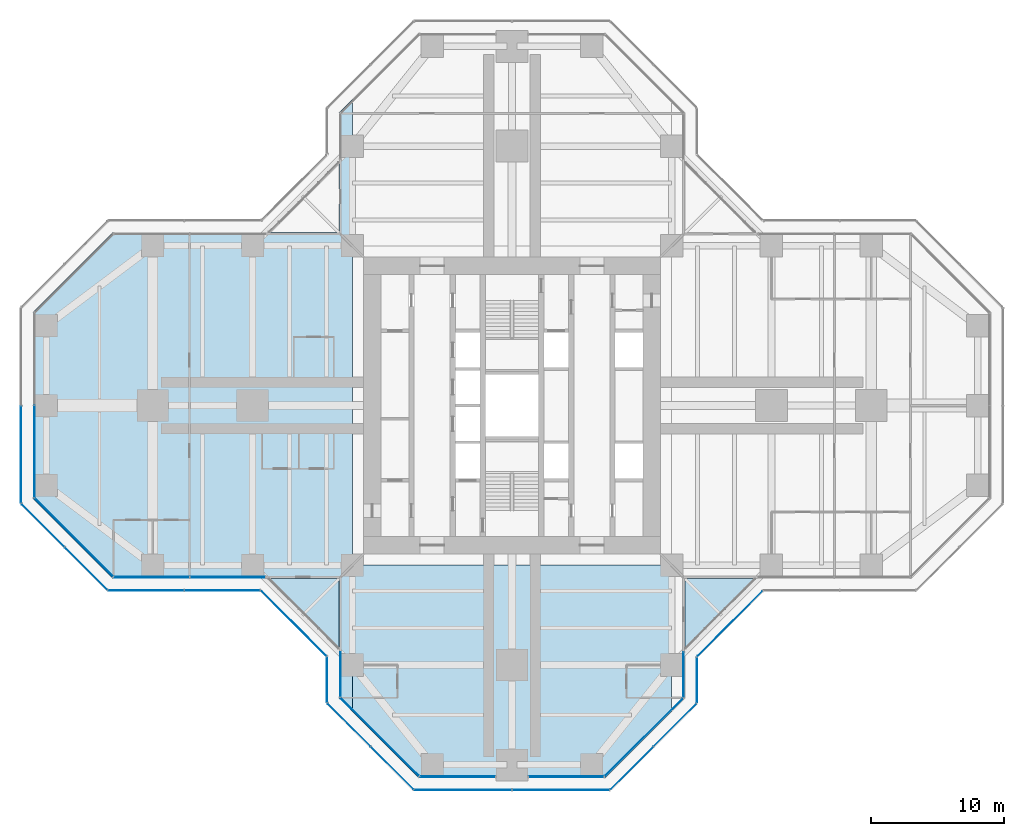
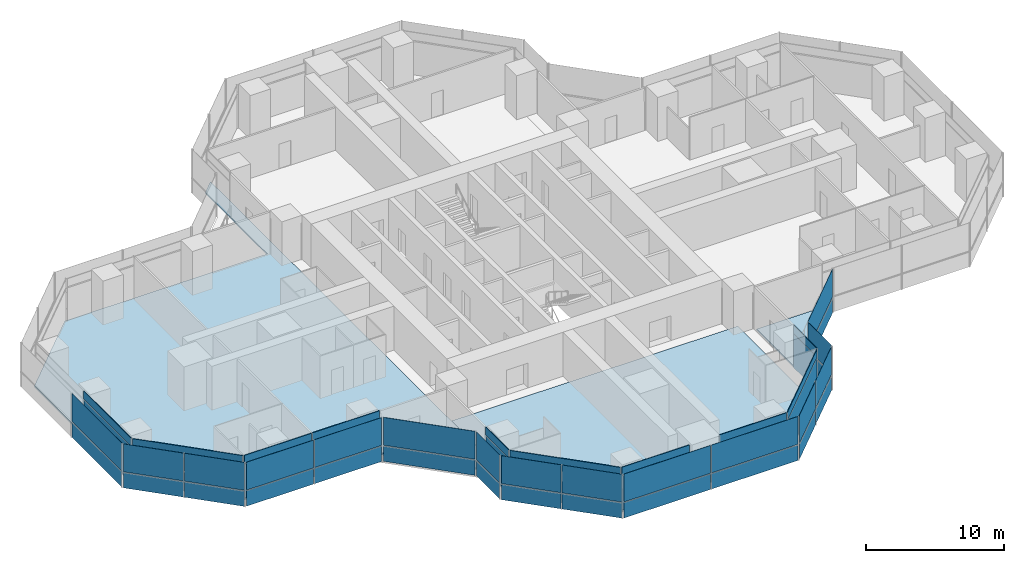
# One storey, part 12 of 20: 50 plates, 4 slabs, 19 elements without a shape of their own.
"""IFC4 building model written with IfcOpenShell, lengths in metres."""

from ifc_helpers import new_model, si_unit, direction, frame, origin, origin_2d, place, context, subcontext, project, spatial, polyline, rectangle, outline, extrude, material, layer, layer_set, type_object, element, aggregate, save


model = new_model("IFC4")

# Units and contexts
model_context = context("Model", 3, precision=1e-05, world=origin(), true_north=direction((0.0, 1.0)))
body_context = subcontext(model_context, "Body", "Model", "MODEL_VIEW")
ifc_project = project(units=[si_unit("LENGTHUNIT", "METRE"), si_unit("AREAUNIT", "SQUARE_METRE"), si_unit("VOLUMEUNIT", "CUBIC_METRE"), si_unit("PLANEANGLEUNIT", "RADIAN"), si_unit("MASSUNIT", "GRAM", prefix="KILO")], contexts=[model_context])

# Site, building, storey
site_placement = place(None, origin())
site = spatial("IfcSite", under=ifc_project, at=site_placement, CompositionType="ELEMENT")
building_placement = place(site_placement, origin())
building = spatial("IfcBuilding", under=site, at=building_placement, Name="Mizan Broadcast Tower", CompositionType="ELEMENT")
storey_placement = place(building_placement, frame((0.0, 0.0, 135.89990234375)))
storey = spatial("IfcBuildingStorey", under=building, at=storey_placement, Name="L30", CompositionType="ELEMENT", Elevation=135.89990234375)

# Slabs
ifc_material_1 = material(Name="Concrete C32/40", Category="concrete")
ifc_layer_1 = layer(ifc_material_1, 0.1298828125)
ifc_layer_set_1 = layer_set([ifc_layer_1], Name="Concrete C32/40")
slab_type_1 = type_object("IfcSlabType", Name="COMPOSITE DECK SLAB 130", PredefinedType="FLOOR", material=ifc_layer_set_1)
slab_1_placement = place(storey_placement, frame((0.0, 0.0, -0.1298828125)))
element("IfcSlab", 1, at=slab_1_placement, inside=storey, type_object=slab_type_1, Name="Floor slab L30 west arm", PredefinedType="FLOOR", context=body_context, shape_type="SweptSolid", body=[
    extrude(outline(polyline([(-13.0, -22.0), (-12.0, -23.0), (-12.0, 23.0), (-13.0, 22.0), (-13.0, 13.0), (-30.0, 13.0), (-36.0, 7.0), (-36.0, -7.0), (-30.0, -13.0), (-13.0, -13.0), (-13.0, -22.0)])), origin(), (0.0, 0.0, 1.0), 0.1298828125),
])
slab_2_placement = place(storey_placement, frame((0.0, 0.0, -0.1298828125)))
element("IfcSlab", 2, at=slab_2_placement, inside=storey, type_object=slab_type_1, Name="Floor slab L30 south arm", PredefinedType="FLOOR", context=body_context, shape_type="SweptSolid", body=[
    extrude(outline(polyline([(7.0, -28.0), (12.0, -23.0), (12.0, -12.0), (-12.0, -12.0), (-12.0, -23.0), (-7.0, -28.0), (7.0, -28.0)])), origin(), (0.0, 0.0, 1.0), 0.1298828125),
])

# Curtain wall, plate
ifc_material_2 = material(Name="Aluminium framed glazing", Category="aluminium")
curtain_wall_type_1 = type_object("IfcCurtainWallType", Name="INNER SKIN MID ZONE", PredefinedType="USERDEFINED", material=ifc_material_2)
curtain_wall_1_placement = place(storey_placement, origin())
curtain_wall_1 = element("IfcCurtainWall", 3, at=curtain_wall_1_placement, inside=storey, type_object=curtain_wall_type_1, Name="Inner skin mid zone L30 W end", ObjectType="INNER SKIN MID ZONE", PredefinedType="USERDEFINED")
ifc_material_3 = material(Name="Double glazing, clear low-e", Category="glass")
ifc_layer_2 = layer(ifc_material_3, 0.028076171875)
ifc_layer_set_2 = layer_set([ifc_layer_2], Name="Double glazing, clear low-e")
plate_type_1 = type_object("IfcPlateType", Name="INNER SKIN GLAZING UNIT", PredefinedType="CURTAIN_PANEL", material=ifc_layer_set_2)
plate_1_placement = place(storey_placement, frame((-35.89990234375, -3.46435546875, 0.0), z_axis=(0.0, 0.0, 1.0), x_axis=(0.0, -1.0, 0.0)))
plate_1 = element("IfcPlate", 4, at=plate_1_placement, type_object=plate_type_1, Name="Inner skin mid zone L30 W end panel 2.1", PredefinedType="CURTAIN_PANEL", context=body_context, shape_type="SweptSolid", body=[
    extrude(rectangle(XDim=6.86865234375, YDim=0.028076171875, at=origin_2d()), origin(), (0.0, 0.0, 1.0), 3.0),
])

curtain_wall_2_placement = place(storey_placement, origin())
curtain_wall_2 = element("IfcCurtainWall", 5, at=curtain_wall_2_placement, inside=storey, type_object=curtain_wall_type_1, Name="Inner skin mid zone L30 W chamfer", ObjectType="INNER SKIN MID ZONE", PredefinedType="USERDEFINED")
plate_2_placement = place(storey_placement, frame((-32.92919921875, -9.92919921875, 0.0), z_axis=(0.0, 0.0, 1.0), x_axis=(0.707106781187, -0.707106781187, 0.0)))
plate_2 = element("IfcPlate", 6, at=plate_2_placement, type_object=plate_type_1, Name="Inner skin mid zone L30 W chamfer panel 1.1", PredefinedType="CURTAIN_PANEL", context=body_context, shape_type="SweptSolid", body=[
    extrude(rectangle(XDim=8.282470703125, YDim=0.028076171875, at=origin_2d()), origin(), (0.0, 0.0, 1.0), 3.0),
])

# Curtain wall, plates
curtain_wall_3_placement = place(storey_placement, origin())
curtain_wall_3 = element("IfcCurtainWall", 7, at=curtain_wall_3_placement, inside=storey, type_object=curtain_wall_type_1, Name="Inner skin mid zone L30 W side", ObjectType="INNER SKIN MID ZONE", PredefinedType="USERDEFINED")
plate_3_placement = place(storey_placement, frame((-27.078857421875, -12.89990234375, 0.0), z_axis=(0.0, 0.0, 1.0), x_axis=(1.0, 0.0, 0.0)))
plate_3 = element("IfcPlate", 8, at=plate_3_placement, type_object=plate_type_1, Name="Inner skin mid zone L30 W side panel 1.1", PredefinedType="CURTAIN_PANEL", context=body_context, shape_type="SweptSolid", body=[
    extrude(rectangle(XDim=5.639404296875, YDim=0.028076171875, at=origin_2d()), origin(), (0.0, 0.0, 1.0), 3.0),
])
plate_4_placement = place(storey_placement, frame((-21.379638671875, -12.89990234375, 0.0), z_axis=(0.0, 0.0, 1.0), x_axis=(1.0, 0.0, 0.0)))
plate_4 = element("IfcPlate", 9, at=plate_4_placement, type_object=plate_type_1, Name="Inner skin mid zone L30 W side panel 2.1", PredefinedType="CURTAIN_PANEL", context=body_context, shape_type="SweptSolid", body=[
    extrude(rectangle(XDim=5.639404296875, YDim=0.028076171875, at=origin_2d()), origin(), (0.0, 0.0, 1.0), 3.0),
])

# Curtain wall, plate
curtain_wall_4_placement = place(storey_placement, origin())
curtain_wall_4 = element("IfcCurtainWall", 10, at=curtain_wall_4_placement, inside=storey, type_object=curtain_wall_type_1, Name="Inner skin mid zone L30 S side", ObjectType="INNER SKIN MID ZONE", PredefinedType="USERDEFINED")
plate_5_placement = place(storey_placement, frame((-12.89990234375, -20.229248046875, 0.0), z_axis=(0.0, 0.0, 1.0), x_axis=(0.0, -1.0, 0.0)))
plate_5 = element("IfcPlate", 11, at=plate_5_placement, type_object=plate_type_1, Name="Inner skin mid zone L30 S side panel 1.1", PredefinedType="CURTAIN_PANEL", context=body_context, shape_type="SweptSolid", body=[
    extrude(rectangle(XDim=3.338623046875, YDim=0.028076171875, at=origin_2d()), origin(), (0.0, 0.0, 1.0), 3.0),
])

curtain_wall_5_placement = place(storey_placement, origin())
curtain_wall_5 = element("IfcCurtainWall", 12, at=curtain_wall_5_placement, inside=storey, type_object=curtain_wall_type_1, Name="Inner skin mid zone L30 S chamfer", ObjectType="INNER SKIN MID ZONE", PredefinedType="USERDEFINED")
plate_6_placement = place(storey_placement, frame((-9.92919921875, -24.92919921875, 0.0), z_axis=(0.0, 0.0, 1.0), x_axis=(0.707106781187, -0.707106781187, 0.0)))
plate_6 = element("IfcPlate", 13, at=plate_6_placement, type_object=plate_type_1, Name="Inner skin mid zone L30 S chamfer panel 1.1", PredefinedType="CURTAIN_PANEL", context=body_context, shape_type="SweptSolid", body=[
    extrude(rectangle(XDim=8.282470703125, YDim=0.028076171875, at=origin_2d()), origin(), (0.0, 0.0, 1.0), 3.0),
])

curtain_wall_6_placement = place(storey_placement, origin())
curtain_wall_6 = element("IfcCurtainWall", 14, at=curtain_wall_6_placement, inside=storey, type_object=curtain_wall_type_1, Name="Inner skin mid zone L30 S end", ObjectType="INNER SKIN MID ZONE", PredefinedType="USERDEFINED")
plate_7_placement = place(storey_placement, frame((-4.079345703125, -27.89990234375, 0.0), z_axis=(0.0, 0.0, 1.0), x_axis=(1.0, 0.0, 0.0)))
plate_7 = element("IfcPlate", 15, at=plate_7_placement, type_object=plate_type_1, Name="Inner skin mid zone L30 S end panel 1.1", PredefinedType="CURTAIN_PANEL", context=body_context, shape_type="SweptSolid", body=[
    extrude(rectangle(XDim=5.638671875, YDim=0.028076171875, at=origin_2d()), origin(), (0.0, 0.0, 1.0), 3.0),
])

curtain_wall_7_placement = place(storey_placement, origin())
curtain_wall_7 = element("IfcCurtainWall", 16, at=curtain_wall_7_placement, inside=storey, type_object=curtain_wall_type_1, Name="Inner skin mid zone L30 S end", ObjectType="INNER SKIN MID ZONE", PredefinedType="USERDEFINED")
plate_8_placement = place(storey_placement, frame((4.079345703125, -27.89990234375, 0.0), z_axis=(0.0, 0.0, 1.0), x_axis=(1.0, 0.0, 0.0)))
plate_8 = element("IfcPlate", 17, at=plate_8_placement, type_object=plate_type_1, Name="Inner skin mid zone L30 S end panel 1.1", PredefinedType="CURTAIN_PANEL", context=body_context, shape_type="SweptSolid", body=[
    extrude(rectangle(XDim=5.638671875, YDim=0.028076171875, at=origin_2d()), origin(), (0.0, 0.0, 1.0), 3.0),
])

curtain_wall_8_placement = place(storey_placement, origin())
curtain_wall_8 = element("IfcCurtainWall", 18, at=curtain_wall_8_placement, inside=storey, type_object=curtain_wall_type_1, Name="Inner skin mid zone L30 S chamfer", ObjectType="INNER SKIN MID ZONE", PredefinedType="USERDEFINED")
plate_9_placement = place(storey_placement, frame((9.92919921875, -24.92919921875, 0.0), z_axis=(0.0, 0.0, 1.0), x_axis=(0.707106781187, 0.707106781187, 0.0)))
plate_9 = element("IfcPlate", 19, at=plate_9_placement, type_object=plate_type_1, Name="Inner skin mid zone L30 S chamfer panel 1.1", PredefinedType="CURTAIN_PANEL", context=body_context, shape_type="SweptSolid", body=[
    extrude(rectangle(XDim=8.282470703125, YDim=0.028076171875, at=origin_2d()), origin(), (0.0, 0.0, 1.0), 3.0),
])

curtain_wall_9_placement = place(storey_placement, origin())
curtain_wall_9 = element("IfcCurtainWall", 20, at=curtain_wall_9_placement, inside=storey, type_object=curtain_wall_type_1, Name="Inner skin mid zone L30 S side", ObjectType="INNER SKIN MID ZONE", PredefinedType="USERDEFINED")
plate_10_placement = place(storey_placement, frame((12.89990234375, -20.229248046875, 0.0), z_axis=(0.0, 0.0, 1.0), x_axis=(0.0, 1.0, 0.0)))
plate_10 = element("IfcPlate", 21, at=plate_10_placement, type_object=plate_type_1, Name="Inner skin mid zone L30 S side panel 1.1", PredefinedType="CURTAIN_PANEL", context=body_context, shape_type="SweptSolid", body=[
    extrude(rectangle(XDim=3.338623046875, YDim=0.028076171875, at=origin_2d()), origin(), (0.0, 0.0, 1.0), 3.0),
])

# Plate
ifc_material_4 = material(Name="Insulated aluminium spandrel panel, pale anodised", Category="aluminium")
ifc_layer_3 = layer(ifc_material_4, 0.050048828125)
ifc_layer_set_3 = layer_set([ifc_layer_3], Name="Insulated aluminium spandrel panel, pale anodised")
plate_type_2 = type_object("IfcPlateType", Name="INNER SKIN SPANDREL PANEL", PredefinedType="CURTAIN_PANEL", material=ifc_layer_set_3)
plate_11_placement = place(storey_placement, frame((-35.89990234375, -3.46435546875, 3.06005859375), z_axis=(0.0, 0.0, 1.0), x_axis=(0.0, -1.0, 0.0)))
plate_11 = element("IfcPlate", 22, at=plate_11_placement, type_object=plate_type_2, Name="Inner skin mid zone L30 W end panel 2.2", PredefinedType="CURTAIN_PANEL", context=body_context, shape_type="SweptSolid", body=[
    extrude(rectangle(XDim=6.86865234375, YDim=0.050048828125, at=origin_2d()), origin(), (0.0, 0.0, 1.0), 0.7099609375),
])

aggregate(curtain_wall_1, [plate_1, plate_11])

plate_12_placement = place(storey_placement, frame((-32.92919921875, -9.92919921875, 3.06005859375), z_axis=(0.0, 0.0, 1.0), x_axis=(0.707106781187, -0.707106781187, 0.0)))
plate_12 = element("IfcPlate", 23, at=plate_12_placement, type_object=plate_type_2, Name="Inner skin mid zone L30 W chamfer panel 1.2", PredefinedType="CURTAIN_PANEL", context=body_context, shape_type="SweptSolid", body=[
    extrude(rectangle(XDim=8.282470703125, YDim=0.050048828125, at=origin_2d()), origin(), (0.0, 0.0, 1.0), 0.7099609375),
])

aggregate(curtain_wall_2, [plate_2, plate_12])

plate_13_placement = place(storey_placement, frame((-27.078857421875, -12.89990234375, 3.06005859375), z_axis=(0.0, 0.0, 1.0), x_axis=(1.0, 0.0, 0.0)))
plate_13 = element("IfcPlate", 24, at=plate_13_placement, type_object=plate_type_2, Name="Inner skin mid zone L30 W side panel 1.2", PredefinedType="CURTAIN_PANEL", context=body_context, shape_type="SweptSolid", body=[
    extrude(rectangle(XDim=5.639404296875, YDim=0.050048828125, at=origin_2d()), origin(), (0.0, 0.0, 1.0), 0.7099609375),
])

plate_14_placement = place(storey_placement, frame((-21.379638671875, -12.89990234375, 3.06005859375), z_axis=(0.0, 0.0, 1.0), x_axis=(1.0, 0.0, 0.0)))
plate_14 = element("IfcPlate", 25, at=plate_14_placement, type_object=plate_type_2, Name="Inner skin mid zone L30 W side panel 2.2", PredefinedType="CURTAIN_PANEL", context=body_context, shape_type="SweptSolid", body=[
    extrude(rectangle(XDim=5.639404296875, YDim=0.050048828125, at=origin_2d()), origin(), (0.0, 0.0, 1.0), 0.7099609375),
])

aggregate(curtain_wall_3, [plate_3, plate_13, plate_4, plate_14])

plate_15_placement = place(storey_placement, frame((-12.89990234375, -20.229248046875, 3.06005859375), z_axis=(0.0, 0.0, 1.0), x_axis=(0.0, -1.0, 0.0)))
plate_15 = element("IfcPlate", 26, at=plate_15_placement, type_object=plate_type_2, Name="Inner skin mid zone L30 S side panel 1.2", PredefinedType="CURTAIN_PANEL", context=body_context, shape_type="SweptSolid", body=[
    extrude(rectangle(XDim=3.338623046875, YDim=0.050048828125, at=origin_2d()), origin(), (0.0, 0.0, 1.0), 0.7099609375),
])

aggregate(curtain_wall_4, [plate_5, plate_15])

plate_16_placement = place(storey_placement, frame((-9.92919921875, -24.92919921875, 3.06005859375), z_axis=(0.0, 0.0, 1.0), x_axis=(0.707106781187, -0.707106781187, 0.0)))
plate_16 = element("IfcPlate", 27, at=plate_16_placement, type_object=plate_type_2, Name="Inner skin mid zone L30 S chamfer panel 1.2", PredefinedType="CURTAIN_PANEL", context=body_context, shape_type="SweptSolid", body=[
    extrude(rectangle(XDim=8.282470703125, YDim=0.050048828125, at=origin_2d()), origin(), (0.0, 0.0, 1.0), 0.7099609375),
])

aggregate(curtain_wall_5, [plate_6, plate_16])

plate_17_placement = place(storey_placement, frame((-4.079345703125, -27.89990234375, 3.06005859375), z_axis=(0.0, 0.0, 1.0), x_axis=(1.0, 0.0, 0.0)))
plate_17 = element("IfcPlate", 28, at=plate_17_placement, type_object=plate_type_2, Name="Inner skin mid zone L30 S end panel 1.2", PredefinedType="CURTAIN_PANEL", context=body_context, shape_type="SweptSolid", body=[
    extrude(rectangle(XDim=5.638671875, YDim=0.050048828125, at=origin_2d()), origin(), (0.0, 0.0, 1.0), 0.7099609375),
])

aggregate(curtain_wall_6, [plate_7, plate_17])

plate_18_placement = place(storey_placement, frame((4.079345703125, -27.89990234375, 3.06005859375), z_axis=(0.0, 0.0, 1.0), x_axis=(1.0, 0.0, 0.0)))
plate_18 = element("IfcPlate", 29, at=plate_18_placement, type_object=plate_type_2, Name="Inner skin mid zone L30 S end panel 1.2", PredefinedType="CURTAIN_PANEL", context=body_context, shape_type="SweptSolid", body=[
    extrude(rectangle(XDim=5.638671875, YDim=0.050048828125, at=origin_2d()), origin(), (0.0, 0.0, 1.0), 0.7099609375),
])

aggregate(curtain_wall_7, [plate_8, plate_18])

plate_19_placement = place(storey_placement, frame((9.92919921875, -24.92919921875, 3.06005859375), z_axis=(0.0, 0.0, 1.0), x_axis=(0.707106781187, 0.707106781187, 0.0)))
plate_19 = element("IfcPlate", 30, at=plate_19_placement, type_object=plate_type_2, Name="Inner skin mid zone L30 S chamfer panel 1.2", PredefinedType="CURTAIN_PANEL", context=body_context, shape_type="SweptSolid", body=[
    extrude(rectangle(XDim=8.282470703125, YDim=0.050048828125, at=origin_2d()), origin(), (0.0, 0.0, 1.0), 0.7099609375),
])

aggregate(curtain_wall_8, [plate_9, plate_19])

plate_20_placement = place(storey_placement, frame((12.89990234375, -20.229248046875, 3.06005859375), z_axis=(0.0, 0.0, 1.0), x_axis=(0.0, 1.0, 0.0)))
plate_20 = element("IfcPlate", 31, at=plate_20_placement, type_object=plate_type_2, Name="Inner skin mid zone L30 S side panel 1.2", PredefinedType="CURTAIN_PANEL", context=body_context, shape_type="SweptSolid", body=[
    extrude(rectangle(XDim=3.338623046875, YDim=0.050048828125, at=origin_2d()), origin(), (0.0, 0.0, 1.0), 0.7099609375),
])

aggregate(curtain_wall_9, [plate_10, plate_20])

# Curtain wall, plates
ifc_material_5 = material(Name="Aluminium framed glazing", Category="aluminium")
curtain_wall_type_2 = type_object("IfcCurtainWallType", Name="OUTER SKIN", PredefinedType="USERDEFINED", material=ifc_material_5)
curtain_wall_10_placement = place(storey_placement, origin())
curtain_wall_10 = element("IfcCurtainWall", 32, at=curtain_wall_10_placement, inside=storey, type_object=curtain_wall_type_2, Name="Outer skin L30 W chamfer", ObjectType="OUTER SKIN", PredefinedType="USERDEFINED")
ifc_material_6 = material(Name="Laminated clear glass", Category="glass")
ifc_layer_4 = layer(ifc_material_6, 0.02001953125)
ifc_layer_set_4 = layer_set([ifc_layer_4], Name="Laminated clear glass")
plate_type_3 = type_object("IfcPlateType", Name="OUTER SKIN CLEAR GLASS", PredefinedType="CURTAIN_PANEL", material=ifc_layer_set_4)
plate_21_placement = place(storey_placement, frame((-35.254150390625, -9.018798828125, 0.0), z_axis=(0.0, 0.0, 1.0), x_axis=(0.707106781187, -0.707106781187, 0.0)))
plate_21 = element("IfcPlate", 33, at=plate_21_placement, type_object=plate_type_3, Name="Outer skin L30 W chamfer panel 1.1", PredefinedType="CURTAIN_PANEL", context=body_context, shape_type="SweptSolid", body=[
    extrude(rectangle(XDim=4.495361328125, YDim=0.02001953125, at=origin_2d()), origin(), (0.0, 0.0, 1.0), 1.3701171875),
])
plate_22_placement = place(storey_placement, frame((-35.254150390625, -9.018798828125, 1.43017578125), z_axis=(0.0, 0.0, 1.0), x_axis=(0.707106781187, -0.707106781187, 0.0)))
plate_22 = element("IfcPlate", 34, at=plate_22_placement, type_object=plate_type_3, Name="Outer skin L30 W chamfer panel 1.2", PredefinedType="CURTAIN_PANEL", context=body_context, shape_type="SweptSolid", body=[
    extrude(rectangle(XDim=4.495361328125, YDim=0.02001953125, at=origin_2d()), origin(), (0.0, 0.0, 1.0), 2.469970703125),
])

curtain_wall_11_placement = place(storey_placement, origin())
curtain_wall_11 = element("IfcCurtainWall", 35, at=curtain_wall_11_placement, inside=storey, type_object=curtain_wall_type_2, Name="Outer skin L30 W side", ObjectType="OUTER SKIN", PredefinedType="USERDEFINED")
plate_23_placement = place(storey_placement, frame((-27.477783203125, -13.89990234375, 0.0), z_axis=(0.0, 0.0, 1.0), x_axis=(1.0, 0.0, 0.0)))
plate_23 = element("IfcPlate", 36, at=plate_23_placement, type_object=plate_type_3, Name="Outer skin L30 W side panel 1.1", PredefinedType="CURTAIN_PANEL", context=body_context, shape_type="SweptSolid", body=[
    extrude(rectangle(XDim=5.6298828125, YDim=0.02001953125, at=origin_2d()), origin(), (0.0, 0.0, 1.0), 1.3701171875),
])
plate_24_placement = place(storey_placement, frame((-27.477783203125, -13.89990234375, 1.43017578125), z_axis=(0.0, 0.0, 1.0), x_axis=(1.0, 0.0, 0.0)))
plate_24 = element("IfcPlate", 37, at=plate_24_placement, type_object=plate_type_3, Name="Outer skin L30 W side panel 1.2", PredefinedType="CURTAIN_PANEL", context=body_context, shape_type="SweptSolid", body=[
    extrude(rectangle(XDim=5.6298828125, YDim=0.02001953125, at=origin_2d()), origin(), (0.0, 0.0, 1.0), 2.469970703125),
])

curtain_wall_12_placement = place(storey_placement, origin())
curtain_wall_12 = element("IfcCurtainWall", 38, at=curtain_wall_12_placement, inside=storey, type_object=curtain_wall_type_2, Name="Outer skin L30 W chamfer", ObjectType="OUTER SKIN", PredefinedType="USERDEFINED")
plate_25_placement = place(storey_placement, frame((-16.386474609375, -16.386474609375, 0.0), z_axis=(0.0, 0.0, 1.0), x_axis=(0.707106781187, -0.707106781187, 0.0)))
plate_25 = element("IfcPlate", 39, at=plate_25_placement, type_object=plate_type_3, Name="Outer skin L30 W chamfer panel 1.1", PredefinedType="CURTAIN_PANEL", context=body_context, shape_type="SweptSolid", body=[
    extrude(rectangle(XDim=6.87255859375, YDim=0.02001953125, at=origin_2d()), origin(), (0.0, 0.0, 1.0), 1.3701171875),
])
plate_26_placement = place(storey_placement, frame((-16.386474609375, -16.386474609375, 1.43017578125), z_axis=(0.0, 0.0, 1.0), x_axis=(0.707106781187, -0.707106781187, 0.0)))
plate_26 = element("IfcPlate", 40, at=plate_26_placement, type_object=plate_type_3, Name="Outer skin L30 W chamfer panel 1.2", PredefinedType="CURTAIN_PANEL", context=body_context, shape_type="SweptSolid", body=[
    extrude(rectangle(XDim=6.87255859375, YDim=0.02001953125, at=origin_2d()), origin(), (0.0, 0.0, 1.0), 2.469970703125),
])
aggregate(curtain_wall_12, [plate_25, plate_26])

curtain_wall_13_placement = place(storey_placement, origin())
curtain_wall_13 = element("IfcCurtainWall", 41, at=curtain_wall_13_placement, inside=storey, type_object=curtain_wall_type_2, Name="Outer skin L30 S side", ObjectType="OUTER SKIN", PredefinedType="USERDEFINED")
plate_27_placement = place(storey_placement, frame((-13.89990234375, -20.622802734375, 0.0), z_axis=(0.0, 0.0, 1.0), x_axis=(0.0, -1.0, 0.0)))
plate_27 = element("IfcPlate", 42, at=plate_27_placement, type_object=plate_type_3, Name="Outer skin L30 S side panel 1.1", PredefinedType="CURTAIN_PANEL", context=body_context, shape_type="SweptSolid", body=[
    extrude(rectangle(XDim=3.340087890625, YDim=0.02001953125, at=origin_2d()), origin(), (0.0, 0.0, 1.0), 1.3701171875),
])
plate_28_placement = place(storey_placement, frame((-13.89990234375, -20.622802734375, 1.43017578125), z_axis=(0.0, 0.0, 1.0), x_axis=(0.0, -1.0, 0.0)))
plate_28 = element("IfcPlate", 43, at=plate_28_placement, type_object=plate_type_3, Name="Outer skin L30 S side panel 1.2", PredefinedType="CURTAIN_PANEL", context=body_context, shape_type="SweptSolid", body=[
    extrude(rectangle(XDim=3.340087890625, YDim=0.02001953125, at=origin_2d()), origin(), (0.0, 0.0, 1.0), 2.469970703125),
])
aggregate(curtain_wall_13, [plate_27, plate_28])

curtain_wall_14_placement = place(storey_placement, origin())
curtain_wall_14 = element("IfcCurtainWall", 44, at=curtain_wall_14_placement, inside=storey, type_object=curtain_wall_type_2, Name="Outer skin L30 S chamfer", ObjectType="OUTER SKIN", PredefinedType="USERDEFINED")
plate_29_placement = place(storey_placement, frame((-12.254150390625, -24.018798828125, 0.0), z_axis=(0.0, 0.0, 1.0), x_axis=(0.707106781187, -0.707106781187, 0.0)))
plate_29 = element("IfcPlate", 45, at=plate_29_placement, type_object=plate_type_3, Name="Outer skin L30 S chamfer panel 1.1", PredefinedType="CURTAIN_PANEL", context=body_context, shape_type="SweptSolid", body=[
    extrude(rectangle(XDim=4.495361328125, YDim=0.02001953125, at=origin_2d()), origin(), (0.0, 0.0, 1.0), 1.3701171875),
])
plate_30_placement = place(storey_placement, frame((-12.254150390625, -24.018798828125, 1.43017578125), z_axis=(0.0, 0.0, 1.0), x_axis=(0.707106781187, -0.707106781187, 0.0)))
plate_30 = element("IfcPlate", 46, at=plate_30_placement, type_object=plate_type_3, Name="Outer skin L30 S chamfer panel 1.2", PredefinedType="CURTAIN_PANEL", context=body_context, shape_type="SweptSolid", body=[
    extrude(rectangle(XDim=4.495361328125, YDim=0.02001953125, at=origin_2d()), origin(), (0.0, 0.0, 1.0), 2.469970703125),
])

curtain_wall_15_placement = place(storey_placement, origin())
curtain_wall_15 = element("IfcCurtainWall", 47, at=curtain_wall_15_placement, inside=storey, type_object=curtain_wall_type_2, Name="Outer skin L30 S end", ObjectType="OUTER SKIN", PredefinedType="USERDEFINED")
plate_31_placement = place(storey_placement, frame((-3.66650390625, -28.89990234375, 0.0), z_axis=(0.0, 0.0, 1.0), x_axis=(1.0, 0.0, 0.0)))
plate_31 = element("IfcPlate", 48, at=plate_31_placement, type_object=plate_type_3, Name="Outer skin L30 S end panel 1.1", PredefinedType="CURTAIN_PANEL", context=body_context, shape_type="SweptSolid", body=[
    extrude(rectangle(XDim=7.252685546875, YDim=0.02001953125, at=origin_2d()), origin(), (0.0, 0.0, 1.0), 1.3701171875),
])
plate_32_placement = place(storey_placement, frame((-3.66650390625, -28.89990234375, 1.43017578125), z_axis=(0.0, 0.0, 1.0), x_axis=(1.0, 0.0, 0.0)))
plate_32 = element("IfcPlate", 49, at=plate_32_placement, type_object=plate_type_3, Name="Outer skin L30 S end panel 1.2", PredefinedType="CURTAIN_PANEL", context=body_context, shape_type="SweptSolid", body=[
    extrude(rectangle(XDim=7.252685546875, YDim=0.02001953125, at=origin_2d()), origin(), (0.0, 0.0, 1.0), 2.469970703125),
])

curtain_wall_16_placement = place(storey_placement, origin())
curtain_wall_16 = element("IfcCurtainWall", 50, at=curtain_wall_16_placement, inside=storey, type_object=curtain_wall_type_2, Name="Outer skin L30 S chamfer", ObjectType="OUTER SKIN", PredefinedType="USERDEFINED")
plate_33_placement = place(storey_placement, frame((9.018798828125, -27.254150390625, 0.0), z_axis=(0.0, 0.0, 1.0), x_axis=(0.707106781187, 0.707106781187, 0.0)))
plate_33 = element("IfcPlate", 51, at=plate_33_placement, type_object=plate_type_3, Name="Outer skin L30 S chamfer panel 1.1", PredefinedType="CURTAIN_PANEL", context=body_context, shape_type="SweptSolid", body=[
    extrude(rectangle(XDim=4.495361328125, YDim=0.02001953125, at=origin_2d()), origin(), (0.0, 0.0, 1.0), 1.3701171875),
])
plate_34_placement = place(storey_placement, frame((9.018798828125, -27.254150390625, 1.43017578125), z_axis=(0.0, 0.0, 1.0), x_axis=(0.707106781187, 0.707106781187, 0.0)))
plate_34 = element("IfcPlate", 52, at=plate_34_placement, type_object=plate_type_3, Name="Outer skin L30 S chamfer panel 1.2", PredefinedType="CURTAIN_PANEL", context=body_context, shape_type="SweptSolid", body=[
    extrude(rectangle(XDim=4.495361328125, YDim=0.02001953125, at=origin_2d()), origin(), (0.0, 0.0, 1.0), 2.469970703125),
])

curtain_wall_17_placement = place(storey_placement, origin())
curtain_wall_17 = element("IfcCurtainWall", 53, at=curtain_wall_17_placement, inside=storey, type_object=curtain_wall_type_2, Name="Outer skin L30 S side", ObjectType="OUTER SKIN", PredefinedType="USERDEFINED")
plate_35_placement = place(storey_placement, frame((13.89990234375, -20.622802734375, 0.0), z_axis=(0.0, 0.0, 1.0), x_axis=(0.0, 1.0, 0.0)))
plate_35 = element("IfcPlate", 54, at=plate_35_placement, type_object=plate_type_3, Name="Outer skin L30 S side panel 1.1", PredefinedType="CURTAIN_PANEL", context=body_context, shape_type="SweptSolid", body=[
    extrude(rectangle(XDim=3.340087890625, YDim=0.02001953125, at=origin_2d()), origin(), (0.0, 0.0, 1.0), 1.3701171875),
])
plate_36_placement = place(storey_placement, frame((13.89990234375, -20.622802734375, 1.43017578125), z_axis=(0.0, 0.0, 1.0), x_axis=(0.0, 1.0, 0.0)))
plate_36 = element("IfcPlate", 55, at=plate_36_placement, type_object=plate_type_3, Name="Outer skin L30 S side panel 1.2", PredefinedType="CURTAIN_PANEL", context=body_context, shape_type="SweptSolid", body=[
    extrude(rectangle(XDim=3.340087890625, YDim=0.02001953125, at=origin_2d()), origin(), (0.0, 0.0, 1.0), 2.469970703125),
])
aggregate(curtain_wall_17, [plate_35, plate_36])

curtain_wall_18_placement = place(storey_placement, origin())
curtain_wall_18 = element("IfcCurtainWall", 56, at=curtain_wall_18_placement, inside=storey, type_object=curtain_wall_type_2, Name="Outer skin L30 E chamfer", ObjectType="OUTER SKIN", PredefinedType="USERDEFINED")
plate_37_placement = place(storey_placement, frame((16.386474609375, -16.386474609375, 0.0), z_axis=(0.0, 0.0, 1.0), x_axis=(0.707106781187, 0.707106781187, 0.0)))
plate_37 = element("IfcPlate", 57, at=plate_37_placement, type_object=plate_type_3, Name="Outer skin L30 E chamfer panel 1.1", PredefinedType="CURTAIN_PANEL", context=body_context, shape_type="SweptSolid", body=[
    extrude(rectangle(XDim=6.87255859375, YDim=0.02001953125, at=origin_2d()), origin(), (0.0, 0.0, 1.0), 1.3701171875),
])
plate_38_placement = place(storey_placement, frame((16.386474609375, -16.386474609375, 1.43017578125), z_axis=(0.0, 0.0, 1.0), x_axis=(0.707106781187, 0.707106781187, 0.0)))
plate_38 = element("IfcPlate", 58, at=plate_38_placement, type_object=plate_type_3, Name="Outer skin L30 E chamfer panel 1.2", PredefinedType="CURTAIN_PANEL", context=body_context, shape_type="SweptSolid", body=[
    extrude(rectangle(XDim=6.87255859375, YDim=0.02001953125, at=origin_2d()), origin(), (0.0, 0.0, 1.0), 2.469970703125),
])
aggregate(curtain_wall_18, [plate_37, plate_38])

curtain_wall_19_placement = place(storey_placement, origin())
curtain_wall_19 = element("IfcCurtainWall", 59, at=curtain_wall_19_placement, inside=storey, type_object=curtain_wall_type_2, Name="Outer skin L30 W end", ObjectType="OUTER SKIN", PredefinedType="USERDEFINED")
ifc_material_7 = material(Name="Perforated aluminium, pale anodised", Category="aluminium")
ifc_layer_5 = layer(ifc_material_7, 0.011962890625)
ifc_layer_set_5 = layer_set([ifc_layer_5], Name="Perforated aluminium, pale anodised")
plate_type_4 = type_object("IfcPlateType", Name="OUTER SKIN PERFORATED SCREEN", PredefinedType="USERDEFINED", material=ifc_layer_set_5)
plate_39_placement = place(storey_placement, frame((-36.89990234375, -3.66650390625, 0.0), z_axis=(0.0, 0.0, 1.0), x_axis=(0.0, -1.0, 0.0)))
plate_39 = element("IfcPlate", 60, at=plate_39_placement, type_object=plate_type_4, Name="Outer skin L30 W end panel 2.1", ObjectType="SCREEN", PredefinedType="USERDEFINED", context=body_context, shape_type="SweptSolid", body=[
    extrude(rectangle(XDim=7.252685546875, YDim=0.011962890625, at=origin_2d()), origin(), (0.0, 0.0, 1.0), 1.3701171875),
])
plate_40_placement = place(storey_placement, frame((-36.89990234375, -3.66650390625, 1.43017578125), z_axis=(0.0, 0.0, 1.0), x_axis=(0.0, -1.0, 0.0)))
plate_40 = element("IfcPlate", 61, at=plate_40_placement, type_object=plate_type_4, Name="Outer skin L30 W end panel 2.2", ObjectType="SCREEN", PredefinedType="USERDEFINED", context=body_context, shape_type="SweptSolid", body=[
    extrude(rectangle(XDim=7.252685546875, YDim=0.011962890625, at=origin_2d()), origin(), (0.0, 0.0, 1.0), 2.469970703125),
])
aggregate(curtain_wall_19, [plate_39, plate_40])

# Plate
plate_41_placement = place(storey_placement, frame((-32.018798828125, -12.254150390625, 0.0), z_axis=(0.0, 0.0, 1.0), x_axis=(0.707106781187, -0.707106781187, 0.0)))
plate_41 = element("IfcPlate", 62, at=plate_41_placement, type_object=plate_type_4, Name="Outer skin L30 W chamfer panel 2.1", ObjectType="SCREEN", PredefinedType="USERDEFINED", context=body_context, shape_type="SweptSolid", body=[
    extrude(rectangle(XDim=4.495361328125, YDim=0.011962890625, at=origin_2d()), origin(), (0.0, 0.0, 1.0), 1.3701171875),
])

plate_42_placement = place(storey_placement, frame((-32.018798828125, -12.254150390625, 1.43017578125), z_axis=(0.0, 0.0, 1.0), x_axis=(0.707106781187, -0.707106781187, 0.0)))
plate_42 = element("IfcPlate", 63, at=plate_42_placement, type_object=plate_type_4, Name="Outer skin L30 W chamfer panel 2.2", ObjectType="SCREEN", PredefinedType="USERDEFINED", context=body_context, shape_type="SweptSolid", body=[
    extrude(rectangle(XDim=4.495361328125, YDim=0.011962890625, at=origin_2d()), origin(), (0.0, 0.0, 1.0), 2.469970703125),
])

aggregate(curtain_wall_10, [plate_21, plate_22, plate_41, plate_42])

plate_43_placement = place(storey_placement, frame((-21.767822265625, -13.89990234375, 0.0), z_axis=(0.0, 0.0, 1.0), x_axis=(1.0, 0.0, 0.0)))
plate_43 = element("IfcPlate", 64, at=plate_43_placement, type_object=plate_type_4, Name="Outer skin L30 W side panel 2.1", ObjectType="SCREEN", PredefinedType="USERDEFINED", context=body_context, shape_type="SweptSolid", body=[
    extrude(rectangle(XDim=5.6298828125, YDim=0.011962890625, at=origin_2d()), origin(), (0.0, 0.0, 1.0), 1.3701171875),
])

plate_44_placement = place(storey_placement, frame((-21.767822265625, -13.89990234375, 1.43017578125), z_axis=(0.0, 0.0, 1.0), x_axis=(1.0, 0.0, 0.0)))
plate_44 = element("IfcPlate", 65, at=plate_44_placement, type_object=plate_type_4, Name="Outer skin L30 W side panel 2.2", ObjectType="SCREEN", PredefinedType="USERDEFINED", context=body_context, shape_type="SweptSolid", body=[
    extrude(rectangle(XDim=5.6298828125, YDim=0.011962890625, at=origin_2d()), origin(), (0.0, 0.0, 1.0), 2.469970703125),
])

aggregate(curtain_wall_11, [plate_23, plate_24, plate_43, plate_44])

plate_45_placement = place(storey_placement, frame((-9.018798828125, -27.254150390625, 0.0), z_axis=(0.0, 0.0, 1.0), x_axis=(0.707106781187, -0.707106781187, 0.0)))
plate_45 = element("IfcPlate", 66, at=plate_45_placement, type_object=plate_type_4, Name="Outer skin L30 S chamfer panel 2.1", ObjectType="SCREEN", PredefinedType="USERDEFINED", context=body_context, shape_type="SweptSolid", body=[
    extrude(rectangle(XDim=4.495361328125, YDim=0.011962890625, at=origin_2d()), origin(), (0.0, 0.0, 1.0), 1.3701171875),
])

plate_46_placement = place(storey_placement, frame((-9.018798828125, -27.254150390625, 1.43017578125), z_axis=(0.0, 0.0, 1.0), x_axis=(0.707106781187, -0.707106781187, 0.0)))
plate_46 = element("IfcPlate", 67, at=plate_46_placement, type_object=plate_type_4, Name="Outer skin L30 S chamfer panel 2.2", ObjectType="SCREEN", PredefinedType="USERDEFINED", context=body_context, shape_type="SweptSolid", body=[
    extrude(rectangle(XDim=4.495361328125, YDim=0.011962890625, at=origin_2d()), origin(), (0.0, 0.0, 1.0), 2.469970703125),
])

aggregate(curtain_wall_14, [plate_29, plate_30, plate_45, plate_46])

plate_47_placement = place(storey_placement, frame((3.66650390625, -28.89990234375, 0.0), z_axis=(0.0, 0.0, 1.0), x_axis=(1.0, 0.0, 0.0)))
plate_47 = element("IfcPlate", 68, at=plate_47_placement, type_object=plate_type_4, Name="Outer skin L30 S end panel 2.1", ObjectType="SCREEN", PredefinedType="USERDEFINED", context=body_context, shape_type="SweptSolid", body=[
    extrude(rectangle(XDim=7.252685546875, YDim=0.011962890625, at=origin_2d()), origin(), (0.0, 0.0, 1.0), 1.3701171875),
])

plate_48_placement = place(storey_placement, frame((3.66650390625, -28.89990234375, 1.43017578125), z_axis=(0.0, 0.0, 1.0), x_axis=(1.0, 0.0, 0.0)))
plate_48 = element("IfcPlate", 69, at=plate_48_placement, type_object=plate_type_4, Name="Outer skin L30 S end panel 2.2", ObjectType="SCREEN", PredefinedType="USERDEFINED", context=body_context, shape_type="SweptSolid", body=[
    extrude(rectangle(XDim=7.252685546875, YDim=0.011962890625, at=origin_2d()), origin(), (0.0, 0.0, 1.0), 2.469970703125),
])

aggregate(curtain_wall_15, [plate_31, plate_32, plate_47, plate_48])

plate_49_placement = place(storey_placement, frame((12.254150390625, -24.018798828125, 0.0), z_axis=(0.0, 0.0, 1.0), x_axis=(0.707106781187, 0.707106781187, 0.0)))
plate_49 = element("IfcPlate", 70, at=plate_49_placement, type_object=plate_type_4, Name="Outer skin L30 S chamfer panel 2.1", ObjectType="SCREEN", PredefinedType="USERDEFINED", context=body_context, shape_type="SweptSolid", body=[
    extrude(rectangle(XDim=4.495361328125, YDim=0.011962890625, at=origin_2d()), origin(), (0.0, 0.0, 1.0), 1.3701171875),
])

plate_50_placement = place(storey_placement, frame((12.254150390625, -24.018798828125, 1.43017578125), z_axis=(0.0, 0.0, 1.0), x_axis=(0.707106781187, 0.707106781187, 0.0)))
plate_50 = element("IfcPlate", 71, at=plate_50_placement, type_object=plate_type_4, Name="Outer skin L30 S chamfer panel 2.2", ObjectType="SCREEN", PredefinedType="USERDEFINED", context=body_context, shape_type="SweptSolid", body=[
    extrude(rectangle(XDim=4.495361328125, YDim=0.011962890625, at=origin_2d()), origin(), (0.0, 0.0, 1.0), 2.469970703125),
])

aggregate(curtain_wall_16, [plate_33, plate_34, plate_49, plate_50])

# Slabs
ifc_material_8 = material(Name="Concrete C32/40", Category="concrete")
ifc_layer_6 = layer(ifc_material_8, 0.1298828125)
ifc_layer_set_6 = layer_set([ifc_layer_6], Name="Concrete C32/40")
slab_type_2 = type_object("IfcSlabType", Name="WINTER GARDEN SLAB 130", PredefinedType="FLOOR", material=ifc_layer_set_6)
slab_3_placement = place(storey_placement, frame((0.0, 0.0, -0.1298828125)))
element("IfcSlab", 72, at=slab_3_placement, inside=storey, type_object=slab_type_2, Name="Winter garden slab L30 W", PredefinedType="FLOOR", context=body_context, shape_type="SweptSolid", body=[
    extrude(outline(polyline([(-13.0, -13.0), (-18.5, -13.0), (-13.0, -18.5), (-13.0, -13.0)])), origin(), (0.0, 0.0, 1.0), 0.1298828125),
])
slab_4_placement = place(storey_placement, frame((0.0, 0.0, -0.1298828125)))
element("IfcSlab", 73, at=slab_4_placement, inside=storey, type_object=slab_type_2, Name="Winter garden slab L30 S", PredefinedType="FLOOR", context=body_context, shape_type="SweptSolid", body=[
    extrude(outline(polyline([(13.0, -13.0), (13.0, -18.5), (18.5, -13.0), (13.0, -13.0)])), origin(), (0.0, 0.0, 1.0), 0.1298828125),
])

save(model, "model.ifc")
